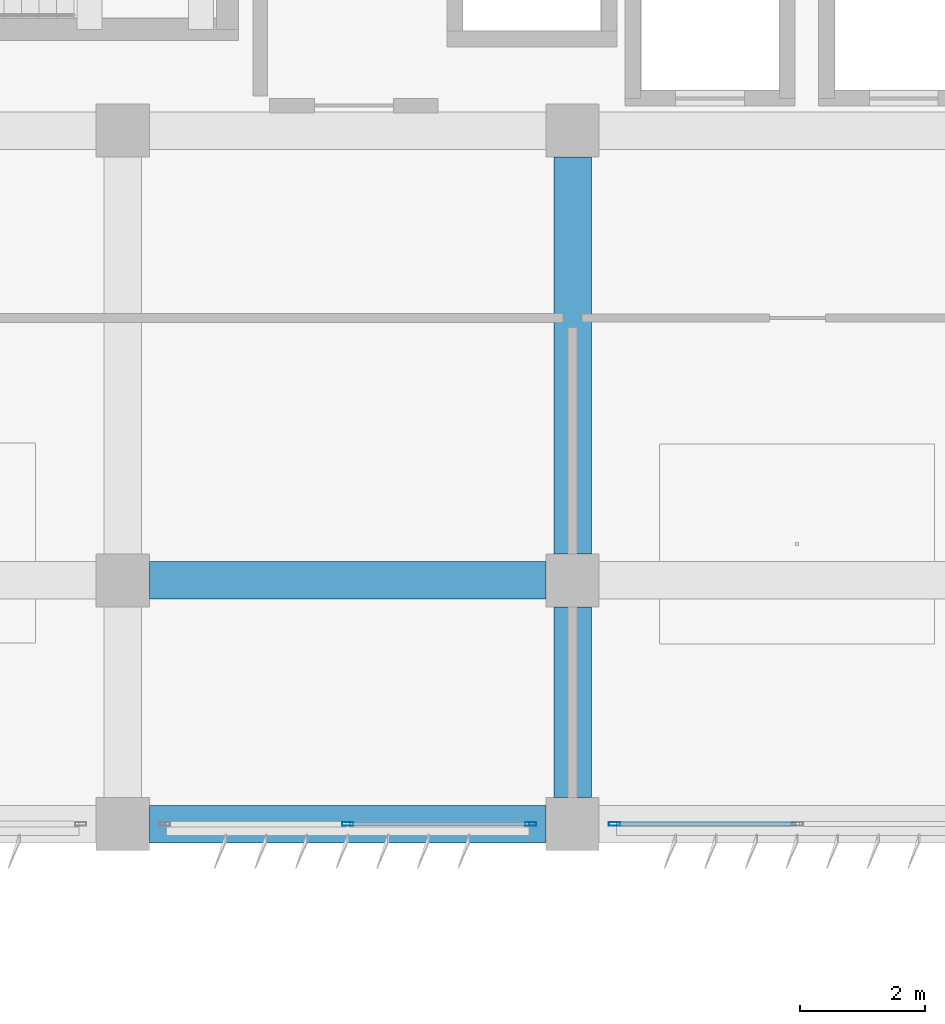
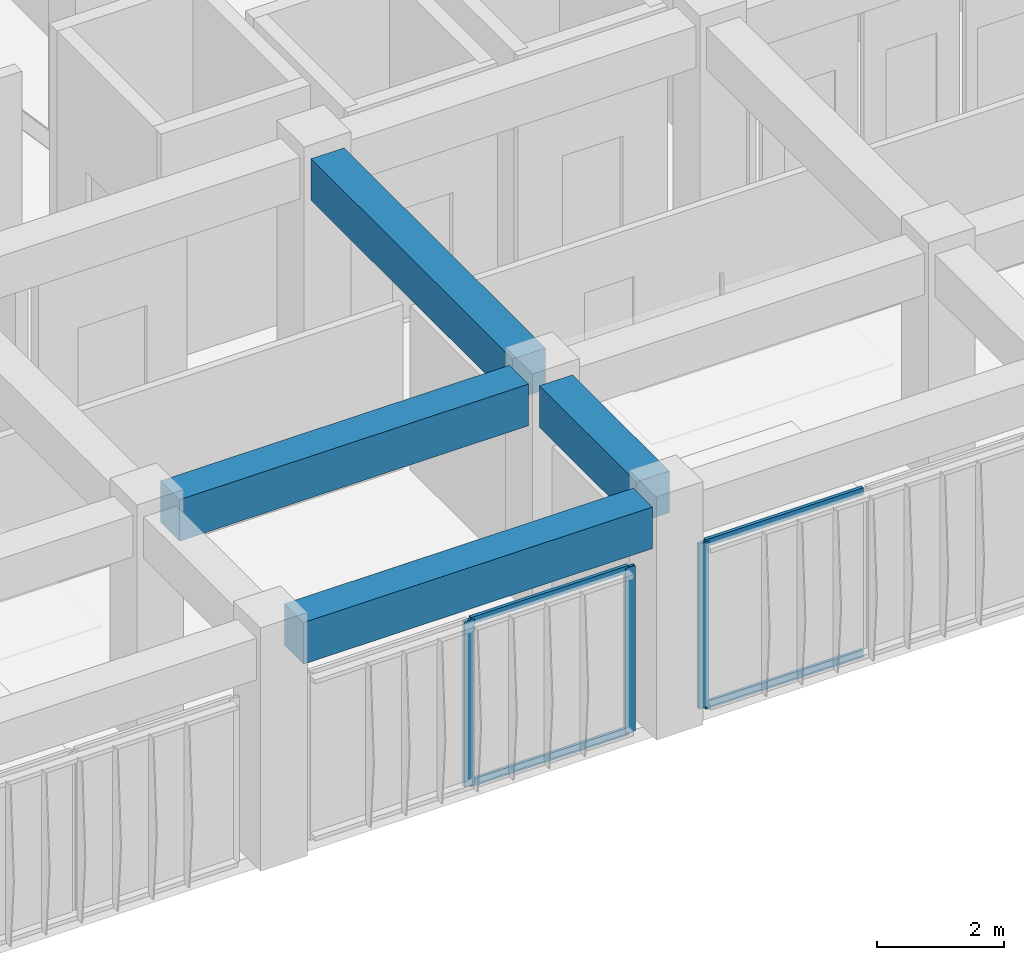
# One storey, part 5 of 55: 7 members, 4 beams, 2 elements without a shape of their own.
"""IFC4 building model written with IfcOpenShell, lengths in metres."""

from ifc_helpers import new_model, si_unit, direction, frame, origin, origin_2d, place, context, subcontext, project, spatial, rectangle, hollow_rectangle, extrude, material, material_profile, profile_set, type_object, element, aggregate, save


model = new_model("IFC4")

# Units and contexts
model_context = context("Model", 3, precision=1e-05, world=origin(), true_north=direction((0.0, 1.0)))
body_context = subcontext(model_context, "Body", "Model", "MODEL_VIEW")
ifc_project = project(units=[si_unit("LENGTHUNIT", "METRE"), si_unit("AREAUNIT", "SQUARE_METRE"), si_unit("VOLUMEUNIT", "CUBIC_METRE"), si_unit("PLANEANGLEUNIT", "RADIAN"), si_unit("MASSUNIT", "GRAM", prefix="KILO")], contexts=[model_context])

# Site, building, storey
site_placement = place(None, origin())
site = spatial("IfcSite", under=ifc_project, at=site_placement, CompositionType="ELEMENT")
building_placement = place(site_placement, origin())
building = spatial("IfcBuilding", under=site, at=building_placement, Name="Kazehaya Institute of Natural Sciences", CompositionType="ELEMENT")
storey_placement = place(building_placement, frame((0.0, 0.0, 15.1201171875)))
storey = spatial("IfcBuildingStorey", under=building, at=storey_placement, Name="L03", CompositionType="ELEMENT", Elevation=15.1201171875)

# Beams
ifc_material_1 = material(Name="Concrete Fc36", Category="concrete")
ifc_material_profile_1 = material_profile(ifc_material_1, rectangle(XDim=0.60009765625, YDim=0.800048828125, at=origin_2d()), Name="RC-600x800")
ifc_profile_set_1 = profile_set([ifc_material_profile_1], Name="Concrete Fc36")
beam_type = type_object("IfcBeamType", Name="BM-G-600x800", PredefinedType="BEAM", material=ifc_profile_set_1)
for number, where, z_axis, x_axis, name in (
    (1, (69.425048828125, 10.10009765625, 4.009765625), (1.0, 0.0, 0.0), (0.0, 1.0, 0.0), "L03 primary X girder BMX-L03-690-101"),
    (2, (69.425048828125, 14.0, 4.009765625), (1.0, 0.0, 0.0), (0.0, 1.0, 0.0), "L03 primary X girder BMX-L03-690-140"),
):
    element("IfcBeam", number, at=place(storey_placement, frame(where, z_axis=z_axis, x_axis=x_axis)), inside=storey, type_object=beam_type, Name=name, PredefinedType="BEAM", context=body_context, shape_type="SweptSolid", body=[
        extrude(rectangle(XDim=0.60009765625, YDim=0.800048828125, at=origin_2d()), origin(), (0.0, 0.0, 1.0), 6.349853515625),
    ])
beam_1_placement = place(storey_placement, frame((76.199951171875, 10.52490234375, 4.009765625), z_axis=(0.0, 1.0, 0.0), x_axis=(-1.0, 0.0, 0.0)))
element("IfcBeam", 3, at=beam_1_placement, inside=storey, type_object=beam_type, Name="L03 primary Y girder BMY-L03-762-101", PredefinedType="BEAM", context=body_context, shape_type="SweptSolid", body=[
    extrude(rectangle(XDim=0.60009765625, YDim=0.800048828125, at=origin_2d()), origin(), (0.0, 0.0, 1.0), 3.050048828125),
])
beam_2_placement = place(storey_placement, frame((76.199951171875, 14.425048828125, 4.009765625), z_axis=(0.0, 1.0, 0.0), x_axis=(-1.0, 0.0, 0.0)))
element("IfcBeam", 4, at=beam_2_placement, inside=storey, type_object=beam_type, Name="L03 primary Y girder BMY-L03-762-140", PredefinedType="BEAM", context=body_context, shape_type="SweptSolid", body=[
    extrude(rectangle(XDim=0.60009765625, YDim=0.800048828125, at=origin_2d()), origin(), (0.0, 0.0, 1.0), 6.349853515625),
])

# Curtain wall, member
ifc_material_2 = material(Name="Aluminium alloy A6063S-T5", Category="aluminium")
curtain_wall_type = type_object("IfcCurtainWallType", Name="CW-SYS-03", PredefinedType="NOTDEFINED", material=ifc_material_2)
curtain_wall_1_placement = place(storey_placement, origin())
curtain_wall_1 = element("IfcCurtainWall", 5, at=curtain_wall_1_placement, inside=storey, type_object=curtain_wall_type, Name="L03 unitised curtain wall CW-L03-062", PredefinedType="NOTDEFINED")
ifc_material_profile_2 = material_profile(ifc_material_2, hollow_rectangle(XDim=0.06005859375, YDim=0.179931640625, WallThickness=0.00390625, at=origin_2d()), Name="ALU-60x180x4")
ifc_profile_set_2 = profile_set([ifc_material_profile_2], Name="Aluminium alloy A6063S-T5")
member_type_1 = type_object("IfcMemberType", Name="CWM-180", PredefinedType="MULLION", material=ifc_profile_set_2)
member_1_placement = place(storey_placement, frame((76.8701171875, 10.10009765625, 0.0), z_axis=(0.0, 0.0, 1.0), x_axis=(0.0, -1.0, 0.0)))
member_1 = element("IfcMember", 6, at=member_1_placement, type_object=member_type_1, Name="CW03 mullion 3", PredefinedType="MULLION", context=body_context, shape_type="SweptSolid", body=[
    extrude(hollow_rectangle(XDim=0.06005859375, YDim=0.179931640625, WallThickness=0.00390625, at=origin_2d()), origin(), (0.0, 0.0, 1.0), 3.179931640625),
])

# Curtain wall, members
curtain_wall_2_placement = place(storey_placement, origin())
curtain_wall_2 = element("IfcCurtainWall", 7, at=curtain_wall_2_placement, inside=storey, type_object=curtain_wall_type, Name="L03 unitised curtain wall CW-L03-063", PredefinedType="NOTDEFINED")
member_2_placement = place(storey_placement, frame((75.530029296875, 10.10009765625, 0.0), z_axis=(0.0, 0.0, 1.0), x_axis=(0.0, -1.0, 0.0)))
member_2 = element("IfcMember", 8, at=member_2_placement, type_object=member_type_1, Name="CW03 mullion 1", PredefinedType="MULLION", context=body_context, shape_type="SweptSolid", body=[
    extrude(hollow_rectangle(XDim=0.06005859375, YDim=0.179931640625, WallThickness=0.00390625, at=origin_2d()), origin(), (0.0, 0.0, 1.0), 3.179931640625),
])
member_3_placement = place(storey_placement, frame((72.60009765625, 10.10009765625, 0.0), z_axis=(0.0, 0.0, 1.0), x_axis=(0.0, -1.0, 0.0)))
member_3 = element("IfcMember", 9, at=member_3_placement, type_object=member_type_1, Name="CW03 mullion 2", PredefinedType="MULLION", context=body_context, shape_type="SweptSolid", body=[
    extrude(hollow_rectangle(XDim=0.06005859375, YDim=0.179931640625, WallThickness=0.00390625, at=origin_2d()), origin(), (0.0, 0.0, 1.0), 3.179931640625),
])

# Member
ifc_material_profile_3 = material_profile(ifc_material_2, hollow_rectangle(XDim=0.06005859375, YDim=0.139892578125, WallThickness=0.00341796875, at=origin_2d()), Name="ALU-60x140x3.5")
ifc_profile_set_3 = profile_set([ifc_material_profile_3], Name="Aluminium alloy A6063S-T5")
member_type_2 = type_object("IfcMemberType", Name="CWT-140", PredefinedType="USERDEFINED", material=ifc_profile_set_3)
member_4_placement = place(storey_placement, frame((79.77001953125, 10.10009765625, 0.02978515625), z_axis=(-1.0, 0.0, 0.0), x_axis=(0.0, -1.0, 0.0)))
member_4 = element("IfcMember", 10, at=member_4_placement, type_object=member_type_2, Name="CW03 transom 2.1", ObjectType="TRANSOM", PredefinedType="USERDEFINED", context=body_context, shape_type="SweptSolid", body=[
    extrude(hollow_rectangle(XDim=0.06005859375, YDim=0.139892578125, WallThickness=0.00341796875, at=origin_2d()), origin(), (0.0, 0.0, 1.0), 2.8701171875),
])

member_5_placement = place(storey_placement, frame((79.77001953125, 10.10009765625, 3.14990234375), z_axis=(-1.0, 0.0, 0.0), x_axis=(0.0, -1.0, 0.0)))
member_5 = element("IfcMember", 11, at=member_5_placement, type_object=member_type_2, Name="CW03 transom 2.2", ObjectType="TRANSOM", PredefinedType="USERDEFINED", context=body_context, shape_type="SweptSolid", body=[
    extrude(hollow_rectangle(XDim=0.06005859375, YDim=0.139892578125, WallThickness=0.00341796875, at=origin_2d()), origin(), (0.0, 0.0, 1.0), 2.8701171875),
])

aggregate(curtain_wall_1, [member_1, member_4, member_5])

member_6_placement = place(storey_placement, frame((75.5, 10.10009765625, 0.02978515625), z_axis=(-1.0, 0.0, 0.0), x_axis=(0.0, -1.0, 0.0)))
member_6 = element("IfcMember", 12, at=member_6_placement, type_object=member_type_2, Name="CW03 transom 1.1", ObjectType="TRANSOM", PredefinedType="USERDEFINED", context=body_context, shape_type="SweptSolid", body=[
    extrude(hollow_rectangle(XDim=0.06005859375, YDim=0.139892578125, WallThickness=0.00341796875, at=origin_2d()), origin(), (0.0, 0.0, 1.0), 2.8701171875),
])

member_7_placement = place(storey_placement, frame((75.5, 10.10009765625, 3.14990234375), z_axis=(-1.0, 0.0, 0.0), x_axis=(0.0, -1.0, 0.0)))
member_7 = element("IfcMember", 13, at=member_7_placement, type_object=member_type_2, Name="CW03 transom 1.2", ObjectType="TRANSOM", PredefinedType="USERDEFINED", context=body_context, shape_type="SweptSolid", body=[
    extrude(hollow_rectangle(XDim=0.06005859375, YDim=0.139892578125, WallThickness=0.00341796875, at=origin_2d()), origin(), (0.0, 0.0, 1.0), 2.8701171875),
])

aggregate(curtain_wall_2, [member_2, member_3, member_6, member_7])

save(model, "model.ifc")
